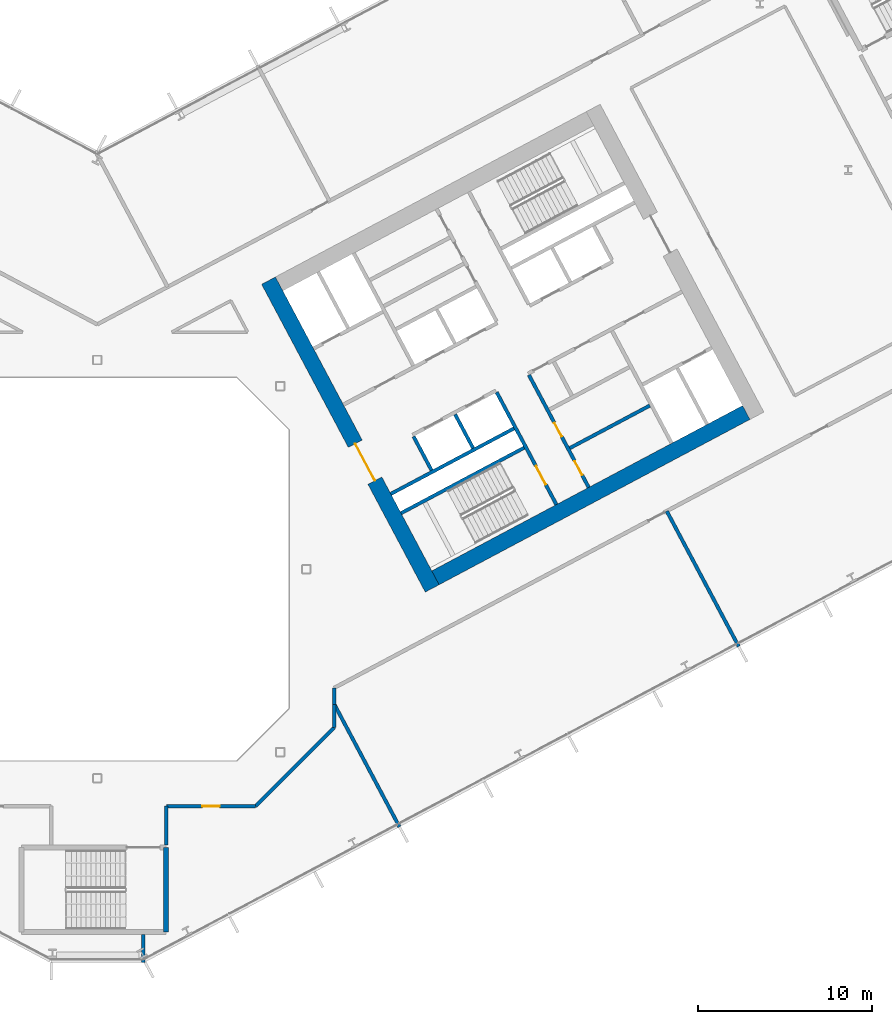
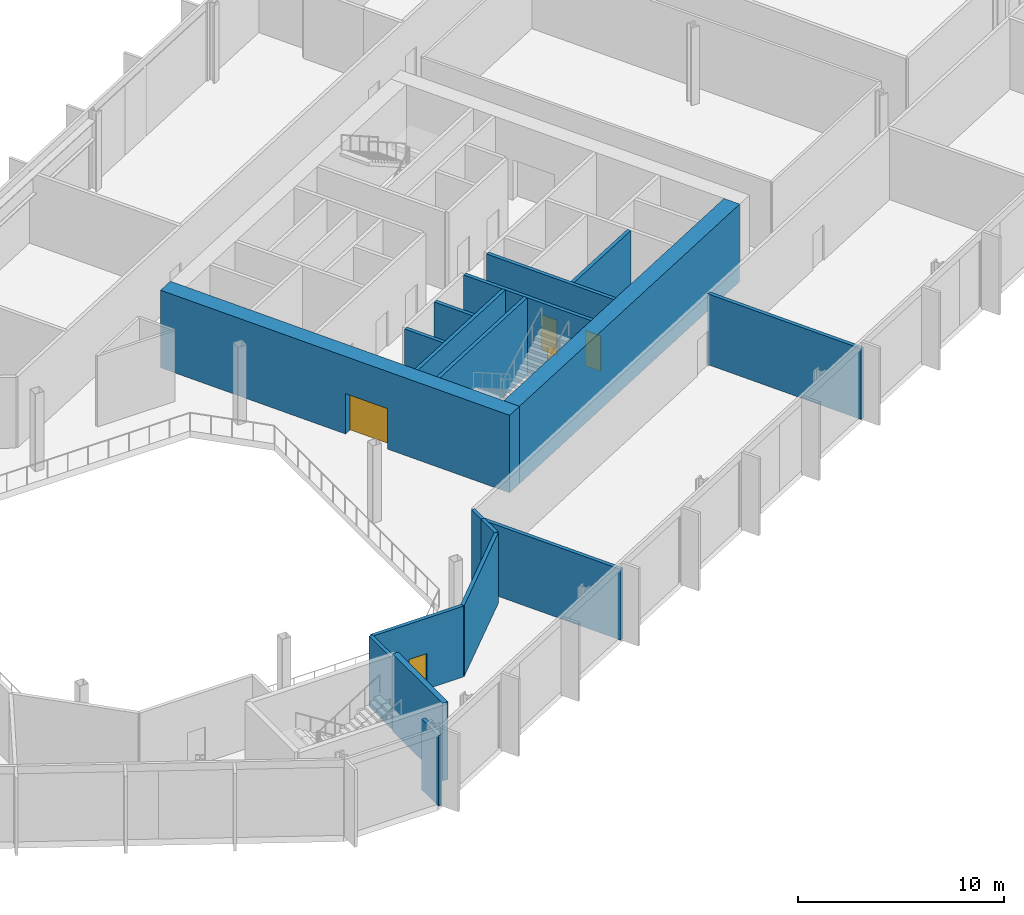
# One storey, part 17 of 32: 18 walls, 5 doors, 5 openings.
"""IFC4 building model written with IfcOpenShell, lengths in metres."""

from ifc_helpers import new_model, si_unit, direction, frame, frame_2d, origin, place, context, subcontext, project, spatial, rectangle, extrude, material, layer, layer_set, type_object, element, fill, save


model = new_model("IFC4")

# Units and contexts
model_context = context("Model", 3, precision=1e-05, world=origin(), true_north=direction((0.0, 1.0)))
body_context = subcontext(model_context, "Body", "Model", "MODEL_VIEW")
ifc_project = project(units=[si_unit("LENGTHUNIT", "METRE"), si_unit("AREAUNIT", "SQUARE_METRE"), si_unit("VOLUMEUNIT", "CUBIC_METRE"), si_unit("PLANEANGLEUNIT", "RADIAN"), si_unit("MASSUNIT", "GRAM", prefix="KILO")], contexts=[model_context])

# Site, building, storey
site_placement = place(None, origin())
site = spatial("IfcSite", under=ifc_project, at=site_placement, CompositionType="ELEMENT")
building_placement = place(site_placement, origin())
building = spatial("IfcBuilding", under=site, at=building_placement, Name="Cormorant Relay Tower", CompositionType="ELEMENT")
storey_placement = place(building_placement, frame((0.0, 0.0, 66.199951171875)))
storey = spatial("IfcBuildingStorey", under=building, at=storey_placement, Name="L12", CompositionType="ELEMENT", Elevation=66.199951171875)

# Walls
ifc_material_1 = material(Name="Concrete 40 MPa", Category="concrete")
ifc_layer_1 = layer(ifc_material_1, 0.199951171875)
ifc_layer_set_1 = layer_set([ifc_layer_1], Name="Core internal wall 200")
wall_type_1 = type_object("IfcWallType", Name="Core internal wall 200", PredefinedType="SOLIDWALL", material=ifc_layer_set_1)
wall_1_placement = place(storey_placement, frame((21.567626953125, 6.9375, 0.0), z_axis=(0.0, 0.0, 1.0), x_axis=(-0.469533832133, 0.882914480843, 0.0)))
element("IfcWall", 1, at=wall_1_placement, inside=storey, type_object=wall_type_1, Name="L12 core B shaft and room wall", PredefinedType="SOLIDWALL", context=body_context, shape_type="SweptSolid", body=[
    extrude(rectangle(XDim=2.199951171875, YDim=0.199951171875, at=frame_2d((1.10009765625, 0.0))), origin(), (0.0, 0.0, 1.0), 4.60009765625),
])
wall_2_placement = place(storey_placement, frame((27.11474609375, 6.942138671875, 0.0), z_axis=(0.0, 0.0, 1.0), x_axis=(0.882934506056, 0.469496174655, 0.0)))
element("IfcWall", 2, at=wall_2_placement, inside=storey, type_object=wall_type_1, Name="L12 core B shaft and room wall", PredefinedType="SOLIDWALL", context=body_context, shape_type="SweptSolid", body=[
    extrude(rectangle(XDim=5.199951171875, YDim=0.199951171875, at=frame_2d((2.60009765625, 0.0))), origin(), (0.0, 0.0, 1.0), 4.60009765625),
])
ifc_material_2 = material(Name="Concrete 50 MPa", Category="concrete")
ifc_layer_2 = layer(ifc_material_2, 0.199951171875)
ifc_layer_set_2 = layer_set([ifc_layer_2], Name="Core shaft wall 200")
wall_type_2 = type_object("IfcWallType", Name="Core shaft wall 200", PredefinedType="SHEAR", material=ifc_layer_set_2)
wall_3_placement = place(storey_placement, frame((19.18359375, 5.669921875, 0.0), z_axis=(0.0, 0.0, 1.0), x_axis=(-0.4694473164, 0.882960484464, 0.0)))
element("IfcWall", 3, at=wall_3_placement, inside=storey, type_object=wall_type_2, Name="L12 core B shaft wall", PredefinedType="SHEAR", context=body_context, shape_type="SweptSolid", body=[
    extrude(rectangle(XDim=2.199951171875, YDim=0.199951171875, at=frame_2d((1.10009765625, 0.0))), origin(), (0.0, 0.0, 1.0), 4.60009765625),
])

# Wall, opening, door
wall_4_placement = place(storey_placement, frame((26.345947265625, 3.701904296875, 0.0), z_axis=(0.0, 0.0, 1.0), x_axis=(-0.469480409012, 0.88294288918, 0.0)))
wall_4 = element("IfcWall", 4, at=wall_4_placement, inside=storey, type_object=wall_type_2, Name="L12 core B shaft wall", PredefinedType="SHEAR", context=body_context, shape_type="SweptSolid", body=[
    extrude(rectangle(XDim=7.300048828125, YDim=0.199951171875, at=frame_2d((3.64990234375, 0.0))), origin(), (0.0, 0.0, 1.0), 4.60009765625),
])
opening_1_placement = place(wall_4_placement, frame((1.300048828125, 0.0, 0.0)))
opening_1 = element("IfcOpeningElement", 5, at=opening_1_placement, cuts=wall_4, Name="Opening CDB-026", PredefinedType="OPENING", context=body_context, shape_type="SweptSolid", body=[
    extrude(rectangle(XDim=1.199951171875, YDim=2.10009765625, at=frame_2d((0.60009765625, 1.050048828125))), frame((0.0, 0.10986328125, 0.0), z_axis=(0.0, -1.0, 0.0), x_axis=(1.0, 0.0, 0.0)), (0.0, 0.0, 1.0), 0.219970703125),
])
ifc_material_3 = material(Name="Steel fire door", Category="steel")
door_type_1 = type_object("IfcDoorType", Name="Core stair door 1200x2100", OperationType="SINGLE_SWING_LEFT", PredefinedType="DOOR", material=ifc_material_3)
door_1_placement = place(opening_1_placement, origin())
door_1 = element("IfcDoor", 6, at=door_1_placement, inside=storey, type_object=door_type_1, Name="Core stair door 1200x2100", OperationType="SINGLE_SWING_RIGHT", OverallHeight=2.10009765625, OverallWidth=1.199951171875, PredefinedType="DOOR", context=body_context, shape_type="SweptSolid", body=[
    extrude(rectangle(XDim=1.199951171875, YDim=2.10009765625, at=frame_2d((0.60009765625, 1.050048828125))), frame((0.0, 0.02490234375, 0.0), z_axis=(0.0, -1.0, 0.0), x_axis=(1.0, 0.0, 0.0)), (0.0, 0.0, 1.0), 0.050048828125),
])
fill(opening_1, door_1)

# Wall, openings, doors
wall_5_placement = place(storey_placement, frame((28.199951171875, 4.687744140625, 0.0), z_axis=(0.0, 0.0, 1.0), x_axis=(-0.469454336211, 0.882956752176, 0.0)))
wall_5 = element("IfcWall", 7, at=wall_5_placement, inside=storey, type_object=wall_type_2, Name="L12 core B shaft wall", PredefinedType="SHEAR", context=body_context, shape_type="SweptSolid", body=[
    extrude(rectangle(XDim=7.300048828125, YDim=0.199951171875, at=frame_2d((3.64990234375, 0.0))), origin(), (0.0, 0.0, 1.0), 4.60009765625),
])
opening_2_placement = place(wall_5_placement, frame((0.800048828125, 0.0, 0.0)))
opening_2 = element("IfcOpeningElement", 8, at=opening_2_placement, cuts=wall_5, Name="Opening CDD-124", PredefinedType="OPENING", context=body_context, shape_type="SweptSolid", body=[
    extrude(rectangle(XDim=0.89990234375, YDim=2.10009765625, at=frame_2d((0.449951171875, 1.050048828125))), frame((0.0, 0.10986328125, 0.0), z_axis=(0.0, -1.0, 0.0), x_axis=(1.0, 0.0, 0.0)), (0.0, 0.0, 1.0), 0.219970703125),
])
opening_3_placement = place(wall_5_placement, frame((3.300048828125, 0.0, 0.0)))
opening_3 = element("IfcOpeningElement", 9, at=opening_3_placement, cuts=wall_5, Name="Opening CDD-125", PredefinedType="OPENING", context=body_context, shape_type="SweptSolid", body=[
    extrude(rectangle(XDim=0.89990234375, YDim=2.10009765625, at=frame_2d((0.449951171875, 1.050048828125))), frame((0.0, 0.10986328125, 0.0), z_axis=(0.0, -1.0, 0.0), x_axis=(1.0, 0.0, 0.0)), (0.0, 0.0, 1.0), 0.219970703125),
])
ifc_material_4 = material(Name="Steel fire door", Category="steel")
door_type_2 = type_object("IfcDoorType", Name="Core room door 900x2100", OperationType="SINGLE_SWING_LEFT", PredefinedType="DOOR", material=ifc_material_4)
door_2_placement = place(opening_2_placement, frame((0.89990234375, 0.0, 0.0), z_axis=(0.0, 0.0, 1.0), x_axis=(-1.0, 0.0, 0.0)))
door_2 = element("IfcDoor", 10, at=door_2_placement, inside=storey, type_object=door_type_2, Name="Core room door 900x2100", OperationType="SINGLE_SWING_LEFT", OverallHeight=2.10009765625, OverallWidth=0.89990234375, PredefinedType="DOOR", context=body_context, shape_type="SweptSolid", body=[
    extrude(rectangle(XDim=0.89990234375, YDim=2.10009765625, at=frame_2d((0.449951171875, 1.050048828125))), frame((0.0, 0.02490234375, 0.0), z_axis=(0.0, -1.0, 0.0), x_axis=(1.0, 0.0, 0.0)), (0.0, 0.0, 1.0), 0.050048828125),
])
fill(opening_2, door_2)
door_3_placement = place(opening_3_placement, frame((0.89990234375, 0.0, 0.0), z_axis=(0.0, 0.0, 1.0), x_axis=(-1.0, 0.0, 0.0)))
door_3 = element("IfcDoor", 11, at=door_3_placement, inside=storey, type_object=door_type_2, Name="Core room door 900x2100", OperationType="SINGLE_SWING_LEFT", OverallHeight=2.10009765625, OverallWidth=0.89990234375, PredefinedType="DOOR", context=body_context, shape_type="SweptSolid", body=[
    extrude(rectangle(XDim=0.89990234375, YDim=2.10009765625, at=frame_2d((0.449951171875, 1.050048828125))), frame((0.0, 0.02490234375, 0.0), z_axis=(0.0, -1.0, 0.0), x_axis=(1.0, 0.0, 0.0)), (0.0, 0.0, 1.0), 0.050048828125),
])
fill(opening_3, door_3)

# Walls
for number, where, z_axis, x_axis, name in (
    (12, (17.43359375, 3.210205078125, 0.0), (0.0, 0.0, 1.0), (0.882940221191, 0.469485426614, 0.0), "L12 core B shaft wall"),
    (13, (16.8466796875, 4.31396484375, 0.0), (0.0, 0.0, 1.0), (0.882940221191, 0.469485426614, 0.0), "L12 core B shaft wall"),
):
    element("IfcWall", number, at=place(storey_placement, frame(where, z_axis=z_axis, x_axis=x_axis)), inside=storey, type_object=wall_type_2, Name=name, PredefinedType="SHEAR", context=body_context, shape_type="SweptSolid", body=[
        extrude(rectangle(XDim=8.0, YDim=0.199951171875, at=frame_2d((4.0, 0.0))), origin(), (0.0, 0.0, 1.0), 4.60009765625),
    ])

# Wall, opening, door
ifc_material_5 = material(Name="Concrete 70 MPa", Category="concrete")
ifc_layer_3 = layer(ifc_material_5, 0.89990234375)
ifc_layer_set_3 = layer_set([ifc_layer_3], Name="Core wall 900")
wall_type_3 = type_object("IfcWallType", Name="Core wall 900", PredefinedType="SHEAR", material=ifc_layer_set_3)
wall_6_placement = place(storey_placement, frame((19.21923828125, -1.106689453125, 0.0), z_axis=(0.0, 0.0, 1.0), x_axis=(-0.46947084998, 0.882947971864, 0.0)))
wall_6 = element("IfcWall", 14, at=wall_6_placement, inside=storey, type_object=wall_type_3, Name="L12 core B wall", PredefinedType="SHEAR", context=body_context, shape_type="SweptSolid", body=[
    extrude(rectangle(XDim=20.0, YDim=0.89990234375, at=frame_2d((10.0, 0.0))), origin(), (0.0, 0.0, 1.0), 4.60009765625),
])
opening_4_placement = place(wall_6_placement, frame((7.0, 0.0, 0.0)))
opening_4 = element("IfcOpeningElement", 15, at=opening_4_placement, cuts=wall_6, Name="Opening CDA-019", PredefinedType="OPENING", context=body_context, shape_type="SweptSolid", body=[
    extrude(rectangle(XDim=2.39990234375, YDim=2.39990234375, at=frame_2d((1.199951171875, 1.199951171875))), frame((0.0, 0.4599609375, 0.0), z_axis=(0.0, -1.0, 0.0), x_axis=(1.0, 0.0, 0.0)), (0.0, 0.0, 1.0), 0.919921875),
])
ifc_material_6 = material(Name="Steel fire door", Category="steel")
door_type_3 = type_object("IfcDoorType", Name="Core lobby door 2400x2400", OperationType="DOUBLE_DOOR_SINGLE_SWING", PredefinedType="DOOR", material=ifc_material_6)
door_4_placement = place(opening_4_placement, frame((2.39990234375, 0.0, 0.0), z_axis=(0.0, 0.0, 1.0), x_axis=(-1.0, 0.0, 0.0)))
door_4 = element("IfcDoor", 16, at=door_4_placement, inside=storey, type_object=door_type_3, Name="Core lobby door 2400x2400", OperationType="DOUBLE_DOOR_SINGLE_SWING", OverallHeight=2.39990234375, OverallWidth=2.39990234375, PredefinedType="DOOR", context=body_context, shape_type="SweptSolid", body=[
    extrude(rectangle(XDim=2.39990234375, YDim=2.39990234375, at=frame_2d((1.199951171875, 1.199951171875))), frame((0.0, 0.02490234375, 0.0), z_axis=(0.0, -1.0, 0.0), x_axis=(1.0, 0.0, 0.0)), (0.0, 0.0, 1.0), 0.050048828125),
])
fill(opening_4, door_4)

# Walls
wall_7_placement = place(storey_placement, frame((19.4052734375, -0.498046875, 0.0), z_axis=(0.0, 0.0, 1.0), x_axis=(0.88294509198, 0.469476266226, 0.0)))
element("IfcWall", 17, at=wall_7_placement, inside=storey, type_object=wall_type_3, Name="L12 core B wall", PredefinedType="SHEAR", context=body_context, shape_type="SweptSolid", body=[
    extrude(rectangle(XDim=20.199951171875, YDim=0.89990234375, at=frame_2d((10.10009765625, 0.0))), origin(), (0.0, 0.0, 1.0), 4.60009765625),
])
ifc_material_7 = material(Name="Fire-rated gypsum board partition")
ifc_layer_4 = layer(ifc_material_7, 0.199951171875)
ifc_layer_set_4 = layer_set([ifc_layer_4], Name="Fire-rated gypsum partition 200")
wall_type_4 = type_object("IfcWallType", Name="Fire-rated gypsum partition 200", PredefinedType="PARTITIONING", material=ifc_layer_set_4)
wall_8_placement = place(storey_placement, frame((2.64892578125, -22.58203125, 0.0), z_axis=(0.0, 0.0, 1.0), x_axis=(0.0, 1.0, 0.0)))
element("IfcWall", 18, at=wall_8_placement, inside=storey, type_object=wall_type_4, Name="wall/L12/part/28", PredefinedType="PARTITIONING", context=body_context, shape_type="SweptSolid", body=[
    extrude(rectangle(XDim=1.6220703125, YDim=0.199951171875, at=frame_2d((0.81103515625, 0.0))), origin(), (0.0, 0.0, 1.0), 4.199951171875),
])
wall_9_placement = place(storey_placement, frame((3.949951171875, -13.60009765625, 0.0), z_axis=(0.0, 0.0, 1.0), x_axis=(0.0, -1.0, 0.0)))
element("IfcWall", 19, at=wall_9_placement, inside=storey, type_object=wall_type_4, Name="wall/L12/part/29", PredefinedType="PARTITIONING", context=body_context, shape_type="SweptSolid", body=[
    extrude(rectangle(XDim=2.239990234375, YDim=0.199951171875, at=frame_2d((1.1201171875, 0.0))), origin(), (0.0, 0.0, 1.0), 4.199951171875),
])
wall_10_placement = place(storey_placement, frame((13.60009765625, -7.756103515625, 0.0), z_axis=(0.0, 0.0, 1.0), x_axis=(0.0, -1.0, 0.0)))
element("IfcWall", 20, at=wall_10_placement, inside=storey, type_object=wall_type_4, Name="wall/L12/part/30", PredefinedType="PARTITIONING", context=body_context, shape_type="SweptSolid", body=[
    extrude(rectangle(XDim=1.32080078125, YDim=0.199951171875, at=frame_2d((0.660400390625, 0.0))), origin(), (0.0, 0.0, 1.0), 4.199951171875),
])
wall_11_placement = place(storey_placement, frame((13.60009765625, -9.076904296875, 0.0), z_axis=(0.0, 0.0, 1.0), x_axis=(-0.707106781187, -0.707106781187, 0.0)))
element("IfcWall", 21, at=wall_11_placement, inside=storey, type_object=wall_type_4, Name="wall/L12/part/31", PredefinedType="PARTITIONING", context=body_context, shape_type="SweptSolid", body=[
    extrude(rectangle(XDim=6.396728515625, YDim=0.199951171875, at=frame_2d((3.1982421875, 0.0))), origin(), (0.0, 0.0, 1.0), 4.199951171875),
])

# Wall, opening, door
wall_12_placement = place(storey_placement, frame((9.076904296875, -13.60009765625, 0.0), z_axis=(0.0, 0.0, 1.0), x_axis=(-1.0, 0.0, 0.0)))
wall_12 = element("IfcWall", 22, at=wall_12_placement, inside=storey, type_object=wall_type_4, Name="wall/L12/part/32", PredefinedType="PARTITIONING", context=body_context, shape_type="SweptSolid", body=[
    extrude(rectangle(XDim=5.091796875, YDim=0.199951171875, at=frame_2d((2.5458984375, 0.0))), origin(), (0.0, 0.0, 1.0), 4.199951171875),
])
opening_5_placement = place(wall_12_placement, frame((2.050048828125, 0.0, 0.0)))
opening_5 = element("IfcOpeningElement", 23, at=opening_5_placement, cuts=wall_12, Name="Opening FD1-076", PredefinedType="OPENING", context=body_context, shape_type="SweptSolid", body=[
    extrude(rectangle(XDim=1.0, YDim=2.10009765625, at=frame_2d((0.5, 1.050048828125))), frame((0.0, 0.10986328125, 0.0), z_axis=(0.0, -1.0, 0.0), x_axis=(1.0, 0.0, 0.0)), (0.0, 0.0, 1.0), 0.219970703125),
])
ifc_material_8 = material(Name="Fire-rated steel door", Category="steel")
door_type_4 = type_object("IfcDoorType", Name="Fire door 1000 x 2100", OperationType="SINGLE_SWING_LEFT", PredefinedType="DOOR", material=ifc_material_8)
door_5_placement = place(opening_5_placement, origin())
door_5 = element("IfcDoor", 24, at=door_5_placement, inside=storey, type_object=door_type_4, Name="door/L12/12", OperationType="SINGLE_SWING_RIGHT", OverallHeight=2.10009765625, OverallWidth=1.0, PredefinedType="DOOR", context=body_context, shape_type="SweptSolid", body=[
    extrude(rectangle(XDim=1.0, YDim=2.10009765625, at=frame_2d((0.5, 1.050048828125))), frame((0.0, 0.02490234375, 0.0), z_axis=(0.0, -1.0, 0.0), x_axis=(1.0, 0.0, 0.0)), (0.0, 0.0, 1.0), 0.050048828125),
])
fill(opening_5, door_5)

# Walls
wall_13_placement = place(storey_placement, frame((13.60009765625, -7.75, 0.0), z_axis=(0.0, 0.0, 1.0), x_axis=(0.469489555723, -0.882938025609, 0.0)))
element("IfcWall", 25, at=wall_13_placement, inside=storey, type_object=wall_type_4, Name="wall/L12/part/34", PredefinedType="PARTITIONING", context=body_context, shape_type="SweptSolid", body=[
    extrude(rectangle(XDim=7.972412109375, YDim=0.199951171875, at=frame_2d((3.986328125, 0.0))), origin(), (0.0, 0.0, 1.0), 4.199951171875),
])
wall_14_placement = place(storey_placement, frame((13.60009765625, -6.81298828125, 0.0), z_axis=(0.0, 0.0, 1.0), x_axis=(0.0, -1.0, 0.0)))
element("IfcWall", 26, at=wall_14_placement, inside=storey, type_object=wall_type_4, Name="wall/L12/part/36", PredefinedType="PARTITIONING", context=body_context, shape_type="SweptSolid", body=[
    extrude(rectangle(XDim=0.943115234375, YDim=0.199951171875, at=frame_2d((0.4716796875, 0.0))), origin(), (0.0, 0.0, 1.0), 4.199951171875),
])
wall_15_placement = place(storey_placement, frame((36.80908203125, -4.43896484375, 0.0), z_axis=(0.0, 0.0, 1.0), x_axis=(-0.469445946219, 0.882961212952, 0.0)))
element("IfcWall", 27, at=wall_15_placement, inside=storey, type_object=wall_type_4, Name="wall/L12/part/42", PredefinedType="PARTITIONING", context=body_context, shape_type="SweptSolid", body=[
    extrude(rectangle(XDim=8.800048828125, YDim=0.199951171875, at=frame_2d((4.39990234375, 0.0))), origin(), (0.0, 0.0, 1.0), 4.199951171875),
])
ifc_material_9 = material(Name="Concrete 50 MPa", Category="concrete")
ifc_layer_5 = layer(ifc_material_9, 0.300048828125)
ifc_layer_set_5 = layer_set([ifc_layer_5], Name="Remote stair wall 300")
wall_type_5 = type_object("IfcWallType", Name="Remote stair wall 300", PredefinedType="SHEAR", material=ifc_layer_set_5)
wall_16_placement = place(storey_placement, frame((3.949951171875, -15.97509765625, 0.0), z_axis=(0.0, 0.0, 1.0), x_axis=(0.0, -1.0, 0.0)))
element("IfcWall", 28, at=wall_16_placement, inside=storey, type_object=wall_type_5, Name="L12 exit stair RK1 wall", PredefinedType="SHEAR", context=body_context, shape_type="SweptSolid", body=[
    extrude(rectangle(XDim=4.849853515625, YDim=0.300048828125, at=frame_2d((2.4248046875, 0.0))), origin(), (0.0, 0.0, 1.0), 4.60009765625),
])

save(model, "model.ifc")
